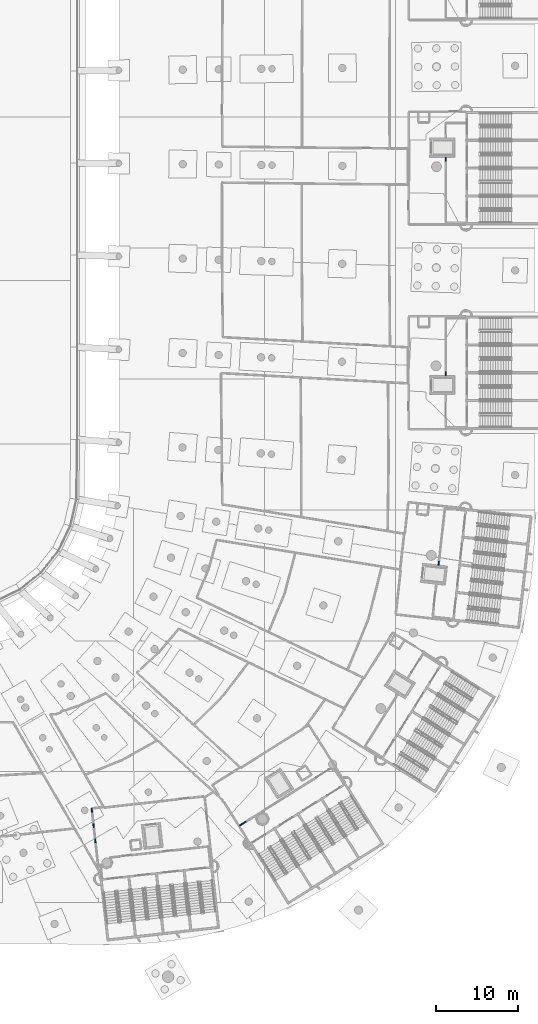
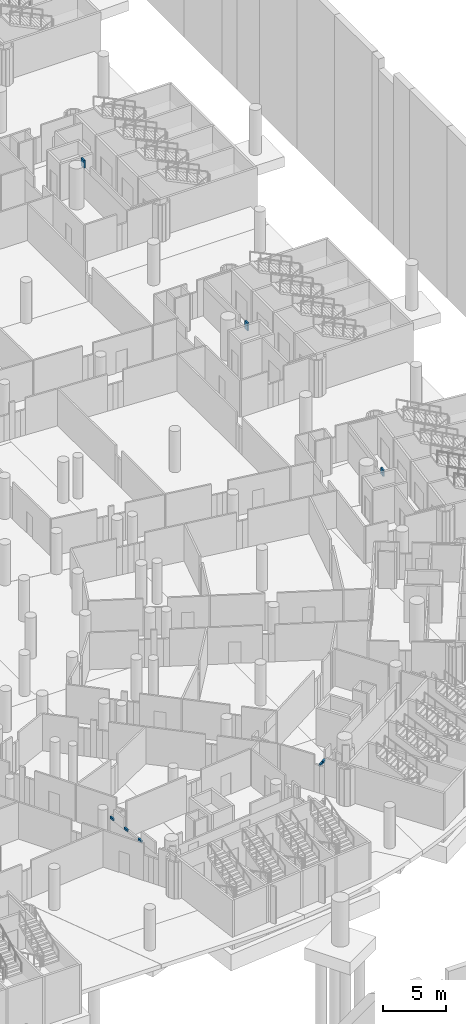
# One storey, part 96 of 142: 8 walls.
"""IFC4 building model written with IfcOpenShell, lengths in metres."""

from ifc_helpers import new_model, si_unit, direction, frame, frame_2d, origin, place, context, subcontext, project, spatial, rectangle, extrude, material, layer, layer_set, type_object, element, save


model = new_model("IFC4")

# Units and contexts
model_context = context("Model", 3, precision=1e-05, world=origin(), true_north=direction((0.0, 1.0)))
body_context = subcontext(model_context, "Body", "Model", "MODEL_VIEW")
ifc_project = project(units=[si_unit("LENGTHUNIT", "METRE"), si_unit("AREAUNIT", "SQUARE_METRE"), si_unit("VOLUMEUNIT", "CUBIC_METRE"), si_unit("PLANEANGLEUNIT", "RADIAN"), si_unit("MASSUNIT", "GRAM", prefix="KILO")], contexts=[model_context])

# Site, building, storey
site_placement = place(None, origin())
site = spatial("IfcSite", under=ifc_project, at=site_placement, CompositionType="ELEMENT")
building_placement = place(site_placement, origin())
building = spatial("IfcBuilding", under=site, at=building_placement, Name="Meseta Stadium", CompositionType="ELEMENT")
storey_placement = place(building_placement, frame((0.0, 0.0, -4.0)))
storey = spatial("IfcBuildingStorey", under=building, at=storey_placement, Name="B1", CompositionType="ELEMENT", Elevation=-4.0)

# Walls
ifc_material = material(Name="Masonry blockwork", Category="masonry")
ifc_layer = layer(ifc_material, 0.14990234375)
ifc_layer_set = layer_set([ifc_layer], Name="Partition 150")
wall_type = type_object("IfcWallType", Name="Partition 150", PredefinedType="PARTITIONING", material=ifc_layer_set)
wall_1_placement = place(storey_placement, frame((85.290771484375, -54.298583984375, 3.0), z_axis=(0.0, 0.0, 1.0), x_axis=(-0.112265280257, -0.993678271298, 0.0)))
element("IfcWall", 1, at=wall_1_placement, inside=storey, type_object=wall_type, Name="Stair vestibule wall B1 core 01", PredefinedType="PARTITIONING", context=body_context, shape_type="SweptSolid", body=[
    extrude(rectangle(XDim=0.467529296875, YDim=0.14990234375, at=frame_2d((0.23388671875, 0.0))), origin(), (0.0, 0.0, 1.0), 0.60009765625),
])
wall_2_placement = place(storey_placement, frame((86.125, -31.122314453125, 2.85009765625), z_axis=(0.0, 0.0, 1.0), x_axis=(0.0, -1.0, 0.0)))
element("IfcWall", 2, at=wall_2_placement, inside=storey, type_object=wall_type, Name="Stair vestibule wall B1 core 02", PredefinedType="PARTITIONING", context=body_context, shape_type="SweptSolid", body=[
    extrude(rectangle(XDim=0.4677734375, YDim=0.14990234375, at=frame_2d((0.23388671875, 0.0))), origin(), (0.0, 0.0, 1.0), 0.75),
])
wall_3_placement = place(storey_placement, frame((86.125, -4.909912109375, 2.85009765625), z_axis=(0.0, 0.0, 1.0), x_axis=(0.0, -1.0, 0.0)))
element("IfcWall", 3, at=wall_3_placement, inside=storey, type_object=wall_type, Name="Stair vestibule wall B1 core 03", PredefinedType="PARTITIONING", context=body_context, shape_type="SweptSolid", body=[
    extrude(rectangle(XDim=0.498779296875, YDim=0.14990234375, at=frame_2d((0.24951171875, 0.0))), origin(), (0.0, 0.0, 1.0), 0.75),
])
for number, where, z_axis, x_axis, name in (
    (4, (42.865478515625, -84.477783203125, 2.5), (0.0, 0.0, 1.0), (0.112198709192, -0.993685790205, 0.0), "Stair vestibule wall B1 core 26"),
    (5, (43.076171875, -86.345947265625, 2.5), (0.0, 0.0, 1.0), (0.111685764928, -0.99374357352, 0.0), "Stair vestibule wall B1 core 26"),
    (6, (43.28662109375, -88.214111328125, 2.5), (0.0, 0.0, 1.0), (0.111685764928, -0.99374357352, 0.0), "Stair vestibule wall B1 core 26"),
):
    element("IfcWall", number, at=place(storey_placement, frame(where, z_axis=z_axis, x_axis=x_axis)), inside=storey, type_object=wall_type, Name=name, PredefinedType="PARTITIONING", context=body_context, shape_type="SweptSolid", body=[
        extrude(rectangle(XDim=0.469970703125, YDim=0.14990234375, at=frame_2d((0.23486328125, 0.0))), origin(), (0.0, 0.0, 1.0), 0.199951171875),
    ])
wall_4_placement = place(storey_placement, frame((61.71142578125, -86.09912109375, 2.5), z_axis=(0.0, 0.0, 1.0), x_axis=(-0.846732995614, -0.53201807689, 0.0)))
element("IfcWall", 7, at=wall_4_placement, inside=storey, type_object=wall_type, Name="Stair vestibule wall B1 core 27", PredefinedType="PARTITIONING", context=body_context, shape_type="SweptSolid", body=[
    extrude(rectangle(XDim=0.4560546875, YDim=0.14990234375, at=frame_2d((0.22802734375, 0.0))), origin(), (0.0, 0.0, 1.0), 0.199951171875),
])
wall_5_placement = place(storey_placement, frame((61.3251953125, -86.341796875, 2.5), z_axis=(0.0, 0.0, 1.0), x_axis=(-0.846491868673, -0.532401649387, 0.0)))
element("IfcWall", 8, at=wall_5_placement, inside=storey, type_object=wall_type, Name="Stair vestibule wall B1 core 27", PredefinedType="PARTITIONING", context=body_context, shape_type="SweptSolid", body=[
    extrude(rectangle(XDim=0.456298828125, YDim=0.14990234375, at=frame_2d((0.22802734375, 0.0))), origin(), (0.0, 0.0, 1.0), 0.199951171875),
])

save(model, "model.ifc")
